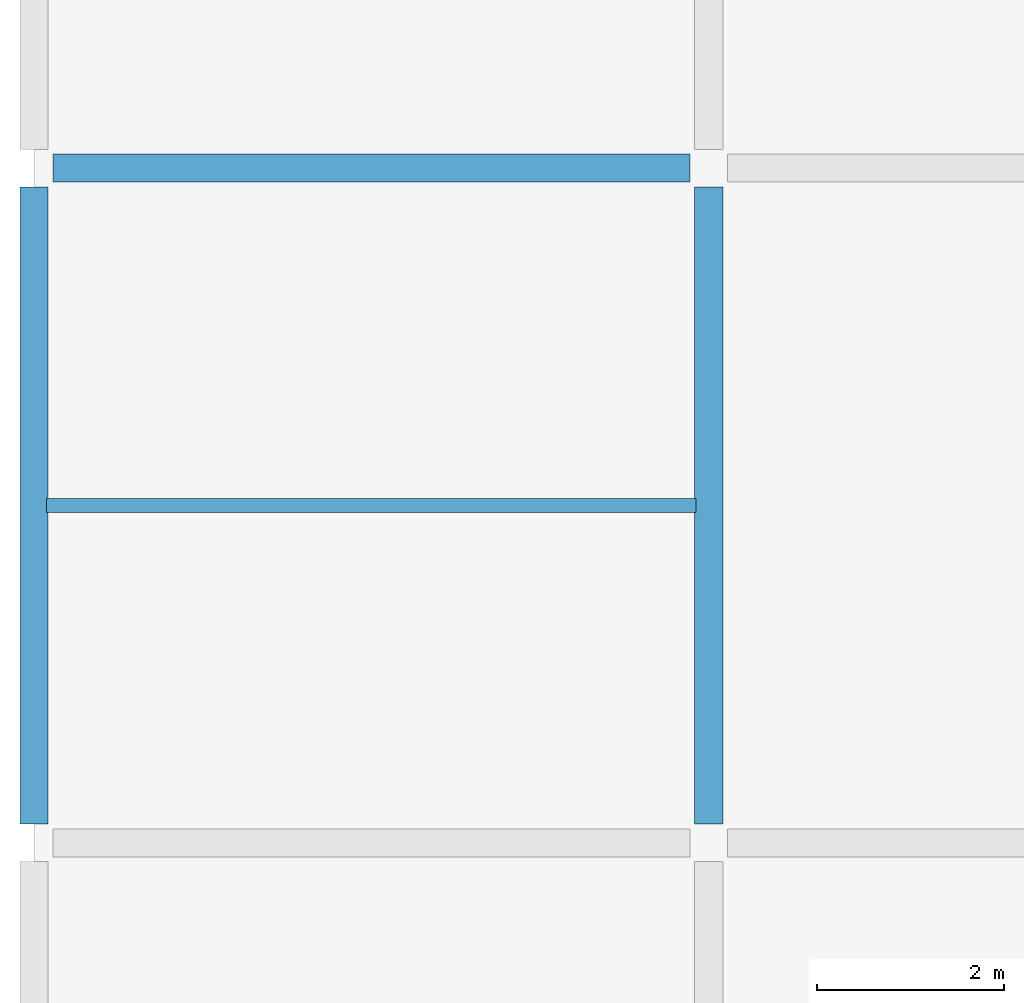
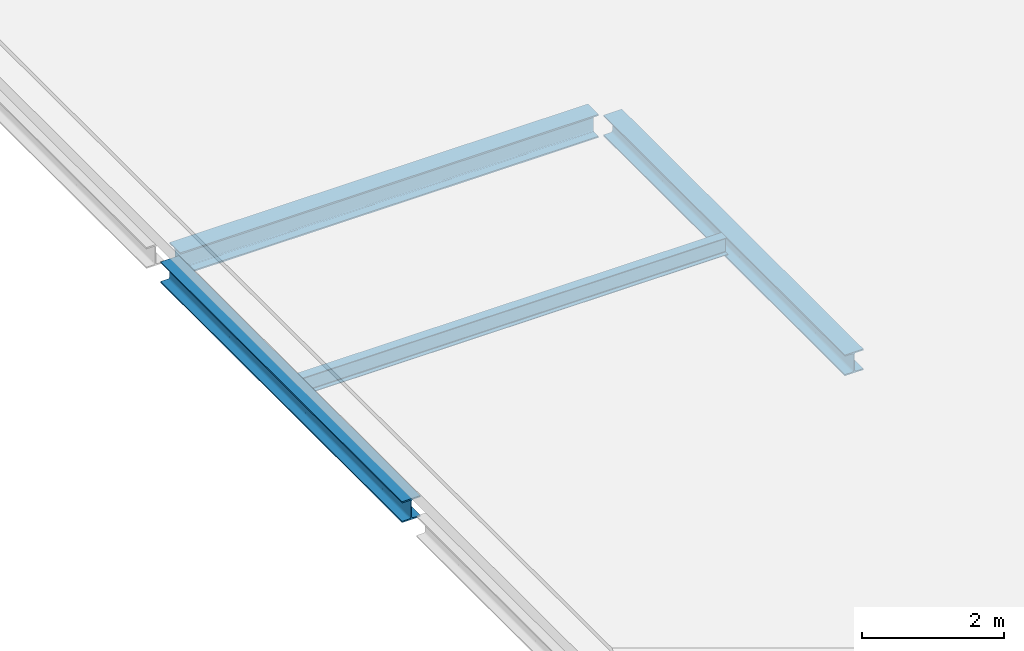
# One storey, part 208 of 397: 4 beams.
"""IFC4 building model written with IfcOpenShell, lengths in metres."""

from ifc_helpers import new_model, si_unit, direction, frame, origin, origin_2d, place, context, subcontext, project, spatial, i_section, extrude, material, material_profile, profile_set, type_object, element, save


model = new_model("IFC4")

# Units and contexts
model_context = context("Model", 3, precision=1e-05, world=origin(), true_north=direction((0.0, 1.0)))
body_context = subcontext(model_context, "Body", "Model", "MODEL_VIEW")
ifc_project = project(units=[si_unit("LENGTHUNIT", "METRE"), si_unit("AREAUNIT", "SQUARE_METRE"), si_unit("VOLUMEUNIT", "CUBIC_METRE"), si_unit("PLANEANGLEUNIT", "RADIAN"), si_unit("MASSUNIT", "GRAM", prefix="KILO")], contexts=[model_context])

# Site, building, storey
site_placement = place(None, origin())
site = spatial("IfcSite", under=ifc_project, at=site_placement, CompositionType="ELEMENT")
building_placement = place(site_placement, origin())
building = spatial("IfcBuilding", under=site, at=building_placement, Name="Qandorah Velis Arena", CompositionType="ELEMENT")
storey_placement = place(building_placement, frame((0.0, 0.0, 27.5)))
storey = spatial("IfcBuildingStorey", under=building, at=storey_placement, Name="RF", CompositionType="ELEMENT", Elevation=27.5)

# Beams
ifc_material = material(Name="Steel S355", Category="steel")
ifc_material_profile_1 = material_profile(ifc_material, i_section(OverallWidth=0.300048828125, OverallDepth=0.360107421875, WebThickness=0.012451171875, FlangeThickness=0.0224609375, FilletRadius=0.027099609375, at=origin_2d()), Name="HEB 360")
ifc_profile_set_1 = profile_set([ifc_material_profile_1], Name="Steel S355")
beam_type_1 = type_object("IfcBeamType", Name="STR-BM-HEB360", PredefinedType="BEAM", material=ifc_profile_set_1)
for number, where, z_axis, x_axis, name in (
    (1, (0.0, 93.800048828125, -0.39990234375), (0.0, 1.0, 0.0), (-1.0, 0.0, 0.0), "Primary floor girder RF Y-073"),
    (2, (7.199951171875, 93.800048828125, -0.39990234375), (0.0, 1.0, 0.0), (-1.0, 0.0, 0.0), "Primary floor girder RF Y-085"),
):
    element("IfcBeam", number, at=place(storey_placement, frame(where, z_axis=z_axis, x_axis=x_axis)), inside=storey, type_object=beam_type_1, Name=name, PredefinedType="BEAM", context=body_context, shape_type="SweptSolid", body=[
        extrude(i_section(OverallWidth=0.300048828125, OverallDepth=0.360107421875, WebThickness=0.012451171875, FlangeThickness=0.0224609375, FilletRadius=0.027099609375, at=origin_2d()), origin(), (0.0, 0.0, 1.0), 6.800048828125),
    ])
ifc_material_profile_2 = material_profile(ifc_material, i_section(OverallWidth=0.300048828125, OverallDepth=0.39990234375, WebThickness=0.013427734375, FlangeThickness=0.02392578125, FilletRadius=0.027099609375, at=origin_2d()), Name="HEB 400")
ifc_profile_set_2 = profile_set([ifc_material_profile_2], Name="Steel S355")
beam_type_2 = type_object("IfcBeamType", Name="STR-BM-HEB400", PredefinedType="BEAM", material=ifc_profile_set_2)
beam_1_placement = place(storey_placement, frame((0.199951171875, 100.800048828125, -0.419921875), z_axis=(1.0, 0.0, 0.0), x_axis=(0.0, 1.0, 0.0)))
element("IfcBeam", 3, at=beam_1_placement, inside=storey, type_object=beam_type_2, Name="Primary floor girder RF X-041", PredefinedType="BEAM", context=body_context, shape_type="SweptSolid", body=[
    extrude(i_section(OverallWidth=0.300048828125, OverallDepth=0.39990234375, WebThickness=0.013427734375, FlangeThickness=0.02392578125, FilletRadius=0.027099609375, at=origin_2d()), origin(), (0.0, 0.0, 1.0), 6.800048828125),
])
ifc_material_profile_3 = material_profile(ifc_material, i_section(OverallWidth=0.14990234375, OverallDepth=0.300048828125, WebThickness=0.007080078125, FlangeThickness=0.0107421875, FilletRadius=0.014892578125, at=origin_2d()), Name="IPE 300")
ifc_profile_set_3 = profile_set([ifc_material_profile_3], Name="Steel S355")
beam_type_3 = type_object("IfcBeamType", Name="STR-JST-IPE300", PredefinedType="JOIST", material=ifc_profile_set_3)
beam_2_placement = place(storey_placement, frame((0.135009765625, 97.199951171875, -0.3701171875), z_axis=(1.0, 0.0, 0.0), x_axis=(0.0, 1.0, 0.0)))
element("IfcBeam", 4, at=beam_2_placement, inside=storey, type_object=beam_type_3, Name="Secondary floor joist RF-011", PredefinedType="JOIST", context=body_context, shape_type="SweptSolid", body=[
    extrude(i_section(OverallWidth=0.14990234375, OverallDepth=0.300048828125, WebThickness=0.007080078125, FlangeThickness=0.0107421875, FilletRadius=0.014892578125, at=origin_2d()), origin(), (0.0, 0.0, 1.0), 6.929931640625),
])

save(model, "model.ifc")
